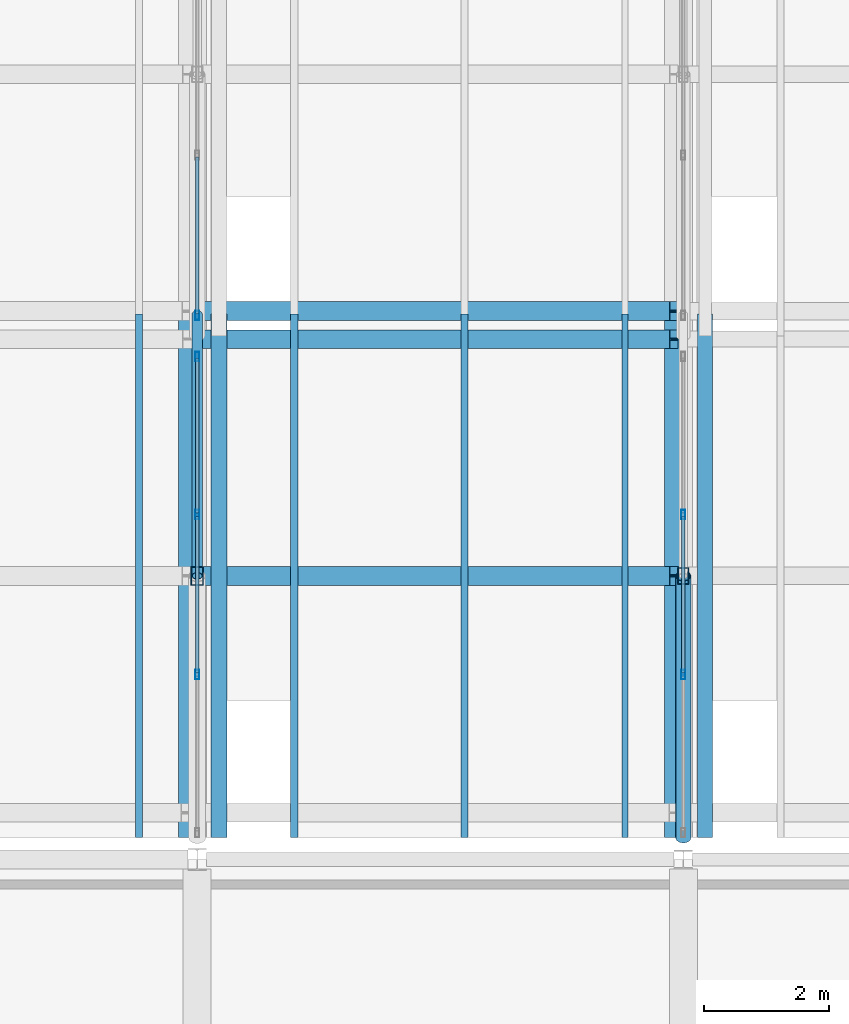
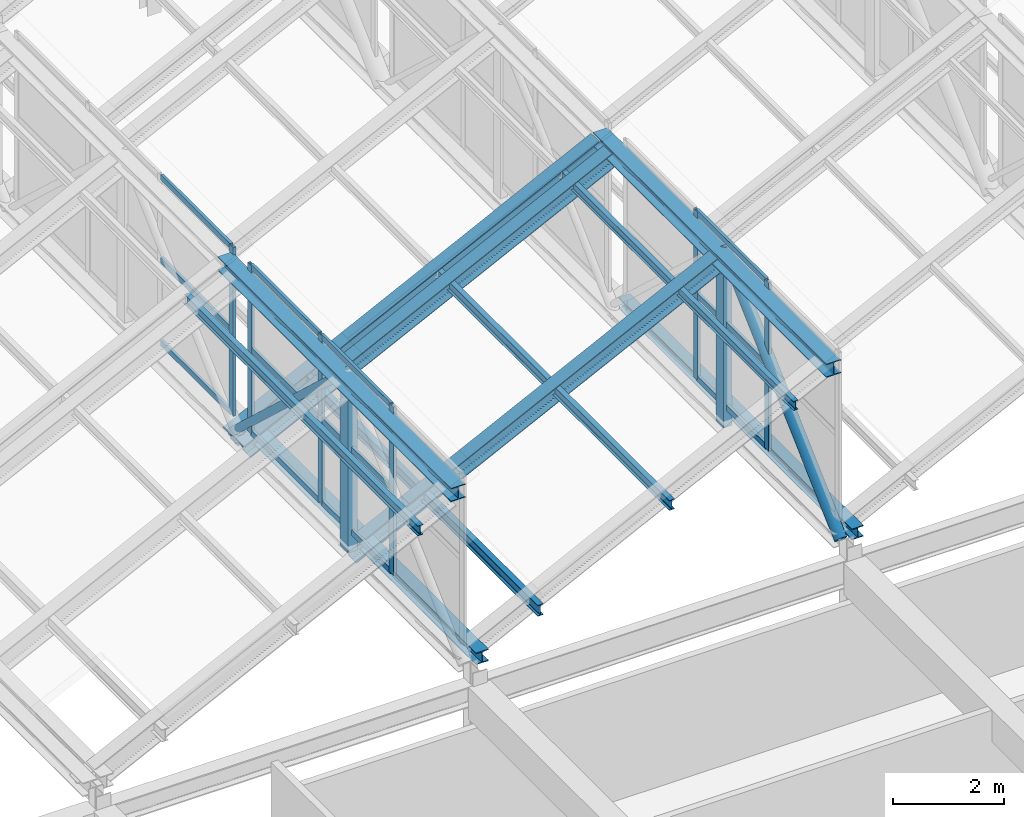
# One storey, part 16 of 101: 33 members, 3 elements without a shape of their own.
"""IFC4 building model written with IfcOpenShell, lengths in metres."""

from ifc_helpers import new_model, si_unit, direction, frame, origin, origin_2d, place, context, subcontext, project, spatial, hollow_rectangle, hollow_circle, i_section, extrude, material, layer, layer_set, material_profile, profile_set, type_object, element, aggregate, save


model = new_model("IFC4")

# Units and contexts
model_context = context("Model", 3, precision=1e-05, world=origin(), true_north=direction((0.0, 1.0)))
body_context = subcontext(model_context, "Body", "Model", "MODEL_VIEW")
ifc_project = project(units=[si_unit("LENGTHUNIT", "METRE"), si_unit("AREAUNIT", "SQUARE_METRE"), si_unit("VOLUMEUNIT", "CUBIC_METRE"), si_unit("PLANEANGLEUNIT", "RADIAN"), si_unit("MASSUNIT", "GRAM", prefix="KILO")], contexts=[model_context])

# Site, building, storey
site_placement = place(None, origin())
site = spatial("IfcSite", under=ifc_project, at=site_placement, CompositionType="ELEMENT")
building_placement = place(site_placement, origin())
building = spatial("IfcBuilding", under=site, at=building_placement, Name="Zizhar Promenade General Hospital", CompositionType="ELEMENT")
storey_placement = place(building_placement, frame((0.0, 0.0, 14.39990234375)))
storey = spatial("IfcBuildingStorey", under=building, at=storey_placement, Name="L03", CompositionType="ELEMENT", Elevation=14.39990234375)

# Curtain wall, members
ifc_material_1 = material(Name="Anodised aluminium 6063-T6 and low-E glass", Category="aluminium")
ifc_layer_1 = layer(ifc_material_1, 0.159912109375)
ifc_layer_set_1 = layer_set([ifc_layer_1], Name="Anodised aluminium 6063-T6 and low-E glass")
curtain_wall_type_1 = type_object("IfcCurtainWallType", Name="CW-SAW-NL1", PredefinedType="NOTDEFINED", material=ifc_layer_set_1)
curtain_wall_1_placement = place(storey_placement, origin())
curtain_wall_1 = element("IfcCurtainWall", 1, at=curtain_wall_1_placement, inside=storey, type_object=curtain_wall_type_1, Name="Sawtooth Clerestory Light B1-S1", PredefinedType="NOTDEFINED")
ifc_material_2 = material(Name="Anodised aluminium 6063-T6", Category="aluminium")
ifc_material_profile_1 = material_profile(ifc_material_2, hollow_rectangle(XDim=0.06005859375, YDim=0.14990234375, WallThickness=0.00390625, at=origin_2d()))
ifc_profile_set_1 = profile_set([ifc_material_profile_1], Name="Anodised aluminium 6063-T6")
member_type_1 = type_object("IfcMemberType", Name="CWM-ALU-150x60", PredefinedType="MULLION", material=ifc_profile_set_1)
member_1_placement = place(storey_placement, frame((78.0, 28.166748046875, 3.85009765625), z_axis=(0.0, 0.0, 1.0), x_axis=(-1.0, 0.0, 0.0)))
member_1 = element("IfcMember", 2, at=member_1_placement, type_object=member_type_1, Name="CW-03 mullion 2", PredefinedType="MULLION", context=body_context, shape_type="SweptSolid", body=[
    extrude(hollow_rectangle(XDim=0.06005859375, YDim=0.14990234375, WallThickness=0.00390625, at=origin_2d()), origin(), (0.0, 0.0, 1.0), 3.699951171875),
])
member_2_placement = place(storey_placement, frame((78.0, 30.7333984375, 3.85009765625), z_axis=(0.0, 0.0, 1.0), x_axis=(-1.0, 0.0, 0.0)))
member_2 = element("IfcMember", 3, at=member_2_placement, type_object=member_type_1, Name="CW-03 mullion 3", PredefinedType="MULLION", context=body_context, shape_type="SweptSolid", body=[
    extrude(hollow_rectangle(XDim=0.06005859375, YDim=0.14990234375, WallThickness=0.00390625, at=origin_2d()), origin(), (0.0, 0.0, 1.0), 3.699951171875),
])
member_3_placement = place(storey_placement, frame((78.0, 33.27001953125, 3.85009765625), z_axis=(0.0, 0.0, 1.0), x_axis=(-1.0, 0.0, 0.0)))
member_3 = element("IfcMember", 4, at=member_3_placement, type_object=member_type_1, Name="CW-03 mullion 4", PredefinedType="MULLION", context=body_context, shape_type="SweptSolid", body=[
    extrude(hollow_rectangle(XDim=0.06005859375, YDim=0.14990234375, WallThickness=0.00390625, at=origin_2d()), origin(), (0.0, 0.0, 1.0), 3.699951171875),
])

# Curtain wall, member
ifc_material_3 = material(Name="Anodised aluminium 6063-T6 and low-E glass", Category="aluminium")
ifc_layer_2 = layer(ifc_material_3, 0.159912109375)
ifc_layer_set_2 = layer_set([ifc_layer_2], Name="Anodised aluminium 6063-T6 and low-E glass")
curtain_wall_type_2 = type_object("IfcCurtainWallType", Name="CW-SAW-NL2", PredefinedType="NOTDEFINED", material=ifc_layer_set_2)
curtain_wall_2_placement = place(storey_placement, origin())
curtain_wall_2 = element("IfcCurtainWall", 5, at=curtain_wall_2_placement, inside=storey, type_object=curtain_wall_type_2, Name="Sawtooth Clerestory Light B1-S2", PredefinedType="NOTDEFINED")
member_4_placement = place(storey_placement, frame((78.0, 33.929931640625, 3.85009765625), z_axis=(0.0, 0.0, 1.0), x_axis=(-1.0, 0.0, 0.0)))
member_4 = element("IfcMember", 6, at=member_4_placement, type_object=member_type_1, Name="CW-04 mullion 1", PredefinedType="MULLION", context=body_context, shape_type="SweptSolid", body=[
    extrude(hollow_rectangle(XDim=0.06005859375, YDim=0.14990234375, WallThickness=0.00390625, at=origin_2d()), origin(), (0.0, 0.0, 1.0), 3.699951171875),
])

# Curtain wall, members
curtain_wall_3_placement = place(storey_placement, origin())
curtain_wall_3 = element("IfcCurtainWall", 7, at=curtain_wall_3_placement, inside=storey, type_object=curtain_wall_type_1, Name="Sawtooth Clerestory Light B2-S1", PredefinedType="NOTDEFINED")
member_5_placement = place(storey_placement, frame((85.800048828125, 28.166748046875, 3.85009765625), z_axis=(0.0, 0.0, 1.0), x_axis=(-1.0, 0.0, 0.0)))
member_5 = element("IfcMember", 8, at=member_5_placement, type_object=member_type_1, Name="CW-03 mullion 2", PredefinedType="MULLION", context=body_context, shape_type="SweptSolid", body=[
    extrude(hollow_rectangle(XDim=0.06005859375, YDim=0.14990234375, WallThickness=0.00390625, at=origin_2d()), origin(), (0.0, 0.0, 1.0), 3.699951171875),
])
member_6_placement = place(storey_placement, frame((85.800048828125, 30.7333984375, 3.85009765625), z_axis=(0.0, 0.0, 1.0), x_axis=(-1.0, 0.0, 0.0)))
member_6 = element("IfcMember", 9, at=member_6_placement, type_object=member_type_1, Name="CW-03 mullion 3", PredefinedType="MULLION", context=body_context, shape_type="SweptSolid", body=[
    extrude(hollow_rectangle(XDim=0.06005859375, YDim=0.14990234375, WallThickness=0.00390625, at=origin_2d()), origin(), (0.0, 0.0, 1.0), 3.699951171875),
])

# Member
ifc_material_4 = material(Name="Anodised aluminium 6063-T6", Category="aluminium")
ifc_material_profile_2 = material_profile(ifc_material_4, hollow_rectangle(XDim=0.06005859375, YDim=0.1201171875, WallThickness=0.00390625, at=origin_2d()))
ifc_profile_set_2 = profile_set([ifc_material_profile_2], Name="Anodised aluminium 6063-T6")
member_type_2 = type_object("IfcMemberType", Name="CWT-ALU-120x60", PredefinedType="USERDEFINED", material=ifc_profile_set_2)
member_7_placement = place(storey_placement, frame((78.0, 28.19677734375, 3.880126953125), z_axis=(0.0, 1.0, 0.0), x_axis=(-1.0, 0.0, 0.0)))
member_7 = element("IfcMember", 10, at=member_7_placement, type_object=member_type_2, Name="CW-03 transom 2.1", ObjectType="TRANSOM", PredefinedType="USERDEFINED", context=body_context, shape_type="SweptSolid", body=[
    extrude(hollow_rectangle(XDim=0.06005859375, YDim=0.1201171875, WallThickness=0.00390625, at=origin_2d()), origin(), (0.0, 0.0, 1.0), 2.506591796875),
])

member_8_placement = place(storey_placement, frame((78.0, 28.19677734375, 5.7001953125), z_axis=(0.0, 1.0, 0.0), x_axis=(-1.0, 0.0, 0.0)))
member_8 = element("IfcMember", 11, at=member_8_placement, type_object=member_type_2, Name="CW-03 transom 2.2", ObjectType="TRANSOM", PredefinedType="USERDEFINED", context=body_context, shape_type="SweptSolid", body=[
    extrude(hollow_rectangle(XDim=0.06005859375, YDim=0.1201171875, WallThickness=0.00390625, at=origin_2d()), origin(), (0.0, 0.0, 1.0), 2.506591796875),
])

member_9_placement = place(storey_placement, frame((78.0, 28.19677734375, 7.52001953125), z_axis=(0.0, 1.0, 0.0), x_axis=(-1.0, 0.0, 0.0)))
member_9 = element("IfcMember", 12, at=member_9_placement, type_object=member_type_2, Name="CW-03 transom 2.3", ObjectType="TRANSOM", PredefinedType="USERDEFINED", context=body_context, shape_type="SweptSolid", body=[
    extrude(hollow_rectangle(XDim=0.06005859375, YDim=0.1201171875, WallThickness=0.00390625, at=origin_2d()), origin(), (0.0, 0.0, 1.0), 2.506591796875),
])

member_10_placement = place(storey_placement, frame((78.0, 30.763427734375, 3.880126953125), z_axis=(0.0, 1.0, 0.0), x_axis=(-1.0, 0.0, 0.0)))
member_10 = element("IfcMember", 13, at=member_10_placement, type_object=member_type_2, Name="CW-03 transom 3.1", ObjectType="TRANSOM", PredefinedType="USERDEFINED", context=body_context, shape_type="SweptSolid", body=[
    extrude(hollow_rectangle(XDim=0.06005859375, YDim=0.1201171875, WallThickness=0.00390625, at=origin_2d()), origin(), (0.0, 0.0, 1.0), 2.4765625),
])

member_11_placement = place(storey_placement, frame((78.0, 30.763427734375, 5.7001953125), z_axis=(0.0, 1.0, 0.0), x_axis=(-1.0, 0.0, 0.0)))
member_11 = element("IfcMember", 14, at=member_11_placement, type_object=member_type_2, Name="CW-03 transom 3.2", ObjectType="TRANSOM", PredefinedType="USERDEFINED", context=body_context, shape_type="SweptSolid", body=[
    extrude(hollow_rectangle(XDim=0.06005859375, YDim=0.1201171875, WallThickness=0.00390625, at=origin_2d()), origin(), (0.0, 0.0, 1.0), 2.4765625),
])

member_12_placement = place(storey_placement, frame((78.0, 30.763427734375, 7.52001953125), z_axis=(0.0, 1.0, 0.0), x_axis=(-1.0, 0.0, 0.0)))
member_12 = element("IfcMember", 15, at=member_12_placement, type_object=member_type_2, Name="CW-03 transom 3.3", ObjectType="TRANSOM", PredefinedType="USERDEFINED", context=body_context, shape_type="SweptSolid", body=[
    extrude(hollow_rectangle(XDim=0.06005859375, YDim=0.1201171875, WallThickness=0.00390625, at=origin_2d()), origin(), (0.0, 0.0, 1.0), 2.4765625),
])

aggregate(curtain_wall_1, [member_1, member_2, member_3, member_7, member_8, member_9, member_10, member_11, member_12])

member_13_placement = place(storey_placement, frame((78.0, 33.9599609375, 3.880126953125), z_axis=(0.0, 1.0, 0.0), x_axis=(-1.0, 0.0, 0.0)))
member_13 = element("IfcMember", 16, at=member_13_placement, type_object=member_type_2, Name="CW-04 transom 1.1", ObjectType="TRANSOM", PredefinedType="USERDEFINED", context=body_context, shape_type="SweptSolid", body=[
    extrude(hollow_rectangle(XDim=0.06005859375, YDim=0.1201171875, WallThickness=0.00390625, at=origin_2d()), origin(), (0.0, 0.0, 1.0), 2.510009765625),
])

member_14_placement = place(storey_placement, frame((78.0, 33.9599609375, 5.7001953125), z_axis=(0.0, 1.0, 0.0), x_axis=(-1.0, 0.0, 0.0)))
member_14 = element("IfcMember", 17, at=member_14_placement, type_object=member_type_2, Name="CW-04 transom 1.2", ObjectType="TRANSOM", PredefinedType="USERDEFINED", context=body_context, shape_type="SweptSolid", body=[
    extrude(hollow_rectangle(XDim=0.06005859375, YDim=0.1201171875, WallThickness=0.00390625, at=origin_2d()), origin(), (0.0, 0.0, 1.0), 2.510009765625),
])

member_15_placement = place(storey_placement, frame((78.0, 33.9599609375, 7.52001953125), z_axis=(0.0, 1.0, 0.0), x_axis=(-1.0, 0.0, 0.0)))
member_15 = element("IfcMember", 18, at=member_15_placement, type_object=member_type_2, Name="CW-04 transom 1.3", ObjectType="TRANSOM", PredefinedType="USERDEFINED", context=body_context, shape_type="SweptSolid", body=[
    extrude(hollow_rectangle(XDim=0.06005859375, YDim=0.1201171875, WallThickness=0.00390625, at=origin_2d()), origin(), (0.0, 0.0, 1.0), 2.510009765625),
])

aggregate(curtain_wall_2, [member_4, member_13, member_14, member_15])

member_16_placement = place(storey_placement, frame((85.800048828125, 28.19677734375, 3.880126953125), z_axis=(0.0, 1.0, 0.0), x_axis=(-1.0, 0.0, 0.0)))
member_16 = element("IfcMember", 19, at=member_16_placement, type_object=member_type_2, Name="CW-03 transom 2.1", ObjectType="TRANSOM", PredefinedType="USERDEFINED", context=body_context, shape_type="SweptSolid", body=[
    extrude(hollow_rectangle(XDim=0.06005859375, YDim=0.1201171875, WallThickness=0.00390625, at=origin_2d()), origin(), (0.0, 0.0, 1.0), 2.506591796875),
])

member_17_placement = place(storey_placement, frame((85.800048828125, 28.19677734375, 5.7001953125), z_axis=(0.0, 1.0, 0.0), x_axis=(-1.0, 0.0, 0.0)))
member_17 = element("IfcMember", 20, at=member_17_placement, type_object=member_type_2, Name="CW-03 transom 2.2", ObjectType="TRANSOM", PredefinedType="USERDEFINED", context=body_context, shape_type="SweptSolid", body=[
    extrude(hollow_rectangle(XDim=0.06005859375, YDim=0.1201171875, WallThickness=0.00390625, at=origin_2d()), origin(), (0.0, 0.0, 1.0), 2.506591796875),
])

member_18_placement = place(storey_placement, frame((85.800048828125, 28.19677734375, 7.52001953125), z_axis=(0.0, 1.0, 0.0), x_axis=(-1.0, 0.0, 0.0)))
member_18 = element("IfcMember", 21, at=member_18_placement, type_object=member_type_2, Name="CW-03 transom 2.3", ObjectType="TRANSOM", PredefinedType="USERDEFINED", context=body_context, shape_type="SweptSolid", body=[
    extrude(hollow_rectangle(XDim=0.06005859375, YDim=0.1201171875, WallThickness=0.00390625, at=origin_2d()), origin(), (0.0, 0.0, 1.0), 2.506591796875),
])

aggregate(curtain_wall_3, [member_5, member_6, member_16, member_17, member_18])

# Members
ifc_material_5 = material(Name="Steel S355", Category="steel")
ifc_material_profile_3 = material_profile(ifc_material_5, i_section(OverallWidth=0.239990234375, OverallDepth=0.239990234375, WebThickness=0.010009765625, FlangeThickness=0.01708984375, FilletRadius=0.02099609375, at=origin_2d()))
ifc_profile_set_3 = profile_set([ifc_material_profile_3], Name="Steel S355")
member_type_3 = type_object("IfcMemberType", Name="MEM-CHORD-HEB240", PredefinedType="CHORD", material=ifc_profile_set_3)
member_19_placement = place(storey_placement, frame((86.14990234375, 25.550048828125, 3.47021484375), z_axis=(0.0, 1.0, 0.0), x_axis=(-1.0, 0.0, 0.0)))
element("IfcMember", 22, at=member_19_placement, inside=storey, type_object=member_type_3, Name="Sawtooth Bay 3 Valley Tie 1", PredefinedType="CHORD", context=body_context, shape_type="SweptSolid", body=[
    extrude(i_section(OverallWidth=0.239990234375, OverallDepth=0.239990234375, WebThickness=0.010009765625, FlangeThickness=0.01708984375, FilletRadius=0.02099609375, at=origin_2d()), origin(), (0.0, 0.0, 1.0), 8.39990234375),
])
ifc_material_6 = material(Name="Steel S355", Category="steel")
ifc_material_profile_4 = material_profile(ifc_material_6, i_section(OverallWidth=0.260009765625, OverallDepth=0.260009765625, WebThickness=0.010009765625, FlangeThickness=0.017578125, FilletRadius=0.02392578125, at=origin_2d()))
ifc_profile_set_4 = profile_set([ifc_material_profile_4], Name="Steel S355")
member_type_4 = type_object("IfcMemberType", Name="MEM-CHORD-HEB260", PredefinedType="CHORD", material=ifc_profile_set_4)
member_20_placement = place(storey_placement, frame((78.35009765625, 25.550048828125, 3.47021484375), z_axis=(0.0, 1.0, 0.0), x_axis=(-1.0, 0.0, 0.0)))
element("IfcMember", 23, at=member_20_placement, inside=storey, type_object=member_type_4, Name="Sawtooth Bay 2 Valley Tie 1", PredefinedType="CHORD", context=body_context, shape_type="SweptSolid", body=[
    extrude(i_section(OverallWidth=0.260009765625, OverallDepth=0.260009765625, WebThickness=0.010009765625, FlangeThickness=0.017578125, FilletRadius=0.02392578125, at=origin_2d()), origin(), (0.0, 0.0, 1.0), 8.39990234375),
])
ifc_material_7 = material(Name="Steel S355", Category="steel")
ifc_material_profile_5 = material_profile(ifc_material_7, i_section(OverallWidth=0.300048828125, OverallDepth=0.300048828125, WebThickness=0.010986328125, FlangeThickness=0.01904296875, FilletRadius=0.027099609375, at=origin_2d()))
ifc_profile_set_5 = profile_set([ifc_material_profile_5], Name="Steel S355")
member_type_5 = type_object("IfcMemberType", Name="MEM-CHORD-HEB300", PredefinedType="CHORD", material=ifc_profile_set_5)
for number, where, z_axis, x_axis, name in (
    (24, (77.85009765625, 25.550048828125, 7.25), (0.0, 1.0, 0.0), (-1.0, 0.0, 0.0), "Sawtooth Bay 1 Ridge Chord 1"),
    (25, (85.64990234375, 25.550048828125, 7.25), (0.0, 1.0, 0.0), (-1.0, 0.0, 0.0), "Sawtooth Bay 2 Ridge Chord 1"),
):
    element("IfcMember", number, at=place(storey_placement, frame(where, z_axis=z_axis, x_axis=x_axis)), inside=storey, type_object=member_type_5, Name=name, PredefinedType="CHORD", context=body_context, shape_type="SweptSolid", body=[
        extrude(i_section(OverallWidth=0.300048828125, OverallDepth=0.300048828125, WebThickness=0.010986328125, FlangeThickness=0.01904296875, FilletRadius=0.027099609375, at=origin_2d()), origin(), (0.0, 0.0, 1.0), 8.39990234375),
    ])
ifc_material_8 = material(Name="Steel S355", Category="steel")
ifc_material_profile_6 = material_profile(ifc_material_8, hollow_circle(Radius=0.084228515625, WallThickness=0.008056640625, at=origin_2d()))
ifc_profile_set_6 = profile_set([ifc_material_profile_6], Name="Steel S355")
member_type_6 = type_object("IfcMemberType", Name="MEM-DIAG-CHS168", PredefinedType="BRACE", material=ifc_profile_set_6)
member_21_placement = place(storey_placement, frame((78.0, 33.949951171875, 3.4501953125), z_axis=(0.0, -0.732798043082, 0.680446197767), x_axis=(1.0, 0.0, 0.0)))
element("IfcMember", 26, at=member_21_placement, inside=storey, type_object=member_type_6, Name="Sawtooth Truss Frame 2 Diagonal B1", PredefinedType="BRACE", context=body_context, shape_type="SweptSolid", body=[
    extrude(hollow_circle(Radius=0.084228515625, WallThickness=0.008056640625, at=origin_2d()), origin(), (0.0, 0.0, 1.0), 5.7314453125),
])
ifc_material_9 = material(Name="Steel S355", Category="steel")
ifc_material_profile_7 = material_profile(ifc_material_9, hollow_circle(Radius=0.122314453125, WallThickness=0.010009765625, at=origin_2d()))
ifc_profile_set_7 = profile_set([ifc_material_profile_7], Name="Steel S355")
member_type_7 = type_object("IfcMemberType", Name="MEM-DIAG-CHS245", PredefinedType="BRACE", material=ifc_profile_set_7)
member_22_placement = place(storey_placement, frame((85.800048828125, 25.550048828125, 3.4501953125), z_axis=(0.0, 0.732798043082, 0.680446197767), x_axis=(-1.0, 0.0, 0.0)))
element("IfcMember", 27, at=member_22_placement, inside=storey, type_object=member_type_7, Name="Sawtooth Truss Frame 3 Diagonal A1", PredefinedType="BRACE", context=body_context, shape_type="SweptSolid", body=[
    extrude(hollow_circle(Radius=0.122314453125, WallThickness=0.010009765625, at=origin_2d()), origin(), (0.0, 0.0, 1.0), 5.7314453125),
])
ifc_material_10 = material(Name="Steel S355", Category="steel")
ifc_material_profile_8 = material_profile(ifc_material_10, i_section(OverallWidth=0.10009765625, OverallDepth=0.199951171875, WebThickness=0.005615234375, FlangeThickness=0.008544921875, FilletRadius=0.011962890625, at=origin_2d()))
ifc_profile_set_8 = profile_set([ifc_material_profile_8], Name="Steel S355")
member_type_8 = type_object("IfcMemberType", Name="MEM-PURL-IPE200", PredefinedType="PURLIN", material=ifc_profile_set_8)
member_23_placement = place(storey_placement, frame((84.864013671875, 25.550048828125, 6.715087890625), z_axis=(0.0, 1.0, 0.0), x_axis=(-1.0, 0.0, 0.0)))
element("IfcMember", 28, at=member_23_placement, inside=storey, type_object=member_type_8, Name="Sawtooth Bay 2 Purlin 1-3", PredefinedType="PURLIN", context=body_context, shape_type="SweptSolid", body=[
    extrude(i_section(OverallWidth=0.10009765625, OverallDepth=0.199951171875, WebThickness=0.005615234375, FlangeThickness=0.008544921875, FilletRadius=0.011962890625, at=origin_2d()), origin(), (0.0, 0.0, 1.0), 8.39990234375),
])
ifc_material_11 = material(Name="Steel S355", Category="steel")
ifc_material_profile_9 = material_profile(ifc_material_11, i_section(OverallWidth=0.110107421875, OverallDepth=0.219970703125, WebThickness=0.005859375, FlangeThickness=0.00927734375, FilletRadius=0.011962890625, at=origin_2d()))
ifc_profile_set_9 = profile_set([ifc_material_profile_9], Name="Steel S355")
member_type_9 = type_object("IfcMemberType", Name="MEM-PURL-IPE220", PredefinedType="PURLIN", material=ifc_profile_set_9)
for number, where, z_axis, x_axis, name in (
    (29, (77.06396484375, 25.550048828125, 6.705078125), (0.0, 1.0, 0.0), (-1.0, 0.0, 0.0), "Sawtooth Bay 1 Purlin 1-3"),
    (30, (82.2900390625, 25.550048828125, 5.4345703125), (0.0, 1.0, 0.0), (-1.0, 0.0, 0.0), "Sawtooth Bay 2 Purlin 1-2"),
):
    element("IfcMember", number, at=place(storey_placement, frame(where, z_axis=z_axis, x_axis=x_axis)), inside=storey, type_object=member_type_9, Name=name, PredefinedType="PURLIN", context=body_context, shape_type="SweptSolid", body=[
        extrude(i_section(OverallWidth=0.110107421875, OverallDepth=0.219970703125, WebThickness=0.005859375, FlangeThickness=0.00927734375, FilletRadius=0.011962890625, at=origin_2d()), origin(), (0.0, 0.0, 1.0), 8.39990234375),
    ])
ifc_material_12 = material(Name="Steel S355", Category="steel")
ifc_material_profile_10 = material_profile(ifc_material_12, i_section(OverallWidth=0.1201171875, OverallDepth=0.239990234375, WebThickness=0.006103515625, FlangeThickness=0.009765625, FilletRadius=0.014892578125, at=origin_2d()))
ifc_profile_set_10 = profile_set([ifc_material_profile_10], Name="Steel S355")
member_type_10 = type_object("IfcMemberType", Name="MEM-PURL-IPE240", PredefinedType="PURLIN", material=ifc_profile_set_10)
member_24_placement = place(storey_placement, frame((79.56005859375, 25.550048828125, 4.0771484375), z_axis=(0.0, 1.0, 0.0), x_axis=(-1.0, 0.0, 0.0)))
element("IfcMember", 31, at=member_24_placement, inside=storey, type_object=member_type_10, Name="Sawtooth Bay 2 Purlin 1-1", PredefinedType="PURLIN", context=body_context, shape_type="SweptSolid", body=[
    extrude(i_section(OverallWidth=0.1201171875, OverallDepth=0.239990234375, WebThickness=0.006103515625, FlangeThickness=0.009765625, FilletRadius=0.014892578125, at=origin_2d()), origin(), (0.0, 0.0, 1.0), 8.39990234375),
])
ifc_material_13 = material(Name="Steel S355", Category="steel")
ifc_material_profile_11 = material_profile(ifc_material_13, i_section(OverallWidth=0.300048828125, OverallDepth=0.31005859375, WebThickness=0.009033203125, FlangeThickness=0.015380859375, FilletRadius=0.027099609375, at=origin_2d()))
ifc_profile_set_11 = profile_set([ifc_material_profile_11], Name="Steel S355")
member_type_11 = type_object("IfcMemberType", Name="MEM-RAFT-HEA320", PredefinedType="RAFTER", material=ifc_profile_set_11)
member_25_placement = place(storey_placement, frame((78.0, 33.550048828125, 3.3203125), z_axis=(0.896704881356, 0.0, 0.442628914276), x_axis=(0.0, 1.0, 0.0)))
element("IfcMember", 32, at=member_25_placement, inside=storey, type_object=member_type_11, Name="Sawtooth Bay 2 Rafter 1-3", PredefinedType="RAFTER", context=body_context, shape_type="SweptSolid", body=[
    extrude(i_section(OverallWidth=0.300048828125, OverallDepth=0.31005859375, WebThickness=0.009033203125, FlangeThickness=0.015380859375, FilletRadius=0.027099609375, at=origin_2d()), origin(), (0.0, 0.0, 1.0), 8.531005859375),
])
ifc_material_14 = material(Name="Steel S355", Category="steel")
ifc_material_profile_12 = material_profile(ifc_material_14, i_section(OverallWidth=0.300048828125, OverallDepth=0.330078125, WebThickness=0.009521484375, FlangeThickness=0.0166015625, FilletRadius=0.027099609375, at=origin_2d()))
ifc_profile_set_12 = profile_set([ifc_material_profile_12], Name="Steel S355")
member_type_12 = type_object("IfcMemberType", Name="MEM-RAFT-HEA340", PredefinedType="RAFTER", material=ifc_profile_set_12)
for number, where, z_axis, x_axis, name in (
    (33, (78.0, 29.75, 3.30908203125), (0.896704881356, 0.0, 0.442628914276), (0.0, 1.0, 0.0), "Sawtooth Bay 2 Rafter 1-2"),
    (34, (78.0, 34.0, 3.30908203125), (0.896704881356, 0.0, 0.442628914276), (0.0, 1.0, 0.0), "Sawtooth Bay 2 Rafter 2-1"),
):
    element("IfcMember", number, at=place(storey_placement, frame(where, z_axis=z_axis, x_axis=x_axis)), inside=storey, type_object=member_type_12, Name=name, PredefinedType="RAFTER", context=body_context, shape_type="SweptSolid", body=[
        extrude(i_section(OverallWidth=0.300048828125, OverallDepth=0.330078125, WebThickness=0.009521484375, FlangeThickness=0.0166015625, FilletRadius=0.027099609375, at=origin_2d()), origin(), (0.0, 0.0, 1.0), 8.531005859375),
    ])
ifc_material_15 = material(Name="Steel S355", Category="steel")
ifc_material_profile_13 = material_profile(ifc_material_15, hollow_rectangle(XDim=0.179931640625, YDim=0.260009765625, WallThickness=0.008056640625, at=origin_2d()))
ifc_profile_set_13 = profile_set([ifc_material_profile_13], Name="Steel S355")
member_type_13 = type_object("IfcMemberType", Name="MEM-STRUT-RHS260", PredefinedType="STRUT", material=ifc_profile_set_13)
member_26_placement = place(storey_placement, frame((85.800048828125, 29.75, 3.4501953125), z_axis=(0.0, 0.0, 1.0), x_axis=(1.0, 0.0, 0.0)))
element("IfcMember", 35, at=member_26_placement, inside=storey, type_object=member_type_13, Name="Sawtooth Truss Frame 3 Vertical Post 1", PredefinedType="STRUT", context=body_context, shape_type="SweptSolid", body=[
    extrude(hollow_rectangle(XDim=0.179931640625, YDim=0.260009765625, WallThickness=0.008056640625, at=origin_2d()), origin(), (0.0, 0.0, 1.0), 3.89990234375),
])
ifc_material_16 = material(Name="Steel S355", Category="steel")
ifc_material_profile_14 = material_profile(ifc_material_16, hollow_rectangle(XDim=0.199951171875, YDim=0.300048828125, WallThickness=0.010009765625, at=origin_2d()))
ifc_profile_set_14 = profile_set([ifc_material_profile_14], Name="Steel S355")
member_type_14 = type_object("IfcMemberType", Name="MEM-STRUT-RHS300", PredefinedType="STRUT", material=ifc_profile_set_14)
member_27_placement = place(storey_placement, frame((78.0, 29.75, 3.4501953125), z_axis=(0.0, 0.0, 1.0), x_axis=(1.0, 0.0, 0.0)))
element("IfcMember", 36, at=member_27_placement, inside=storey, type_object=member_type_14, Name="Sawtooth Truss Frame 2 Vertical Post 1", PredefinedType="STRUT", context=body_context, shape_type="SweptSolid", body=[
    extrude(hollow_rectangle(XDim=0.199951171875, YDim=0.300048828125, WallThickness=0.010009765625, at=origin_2d()), origin(), (0.0, 0.0, 1.0), 3.89990234375),
])

save(model, "model.ifc")
